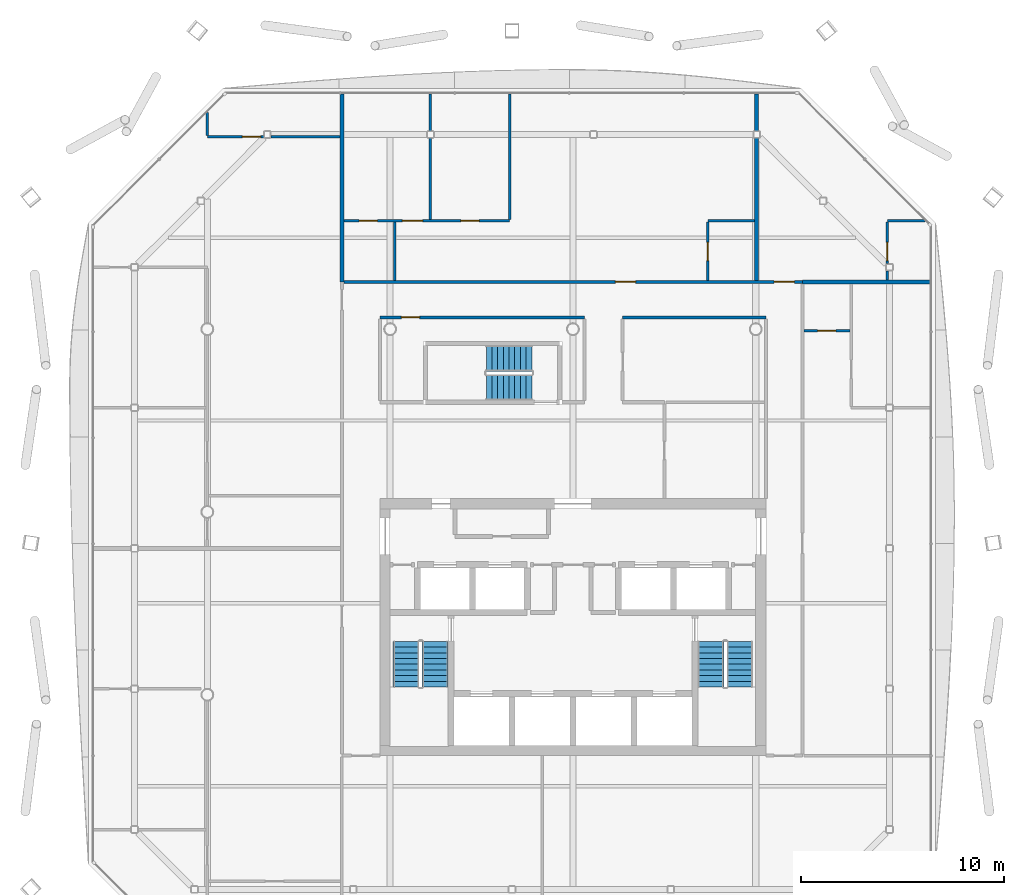
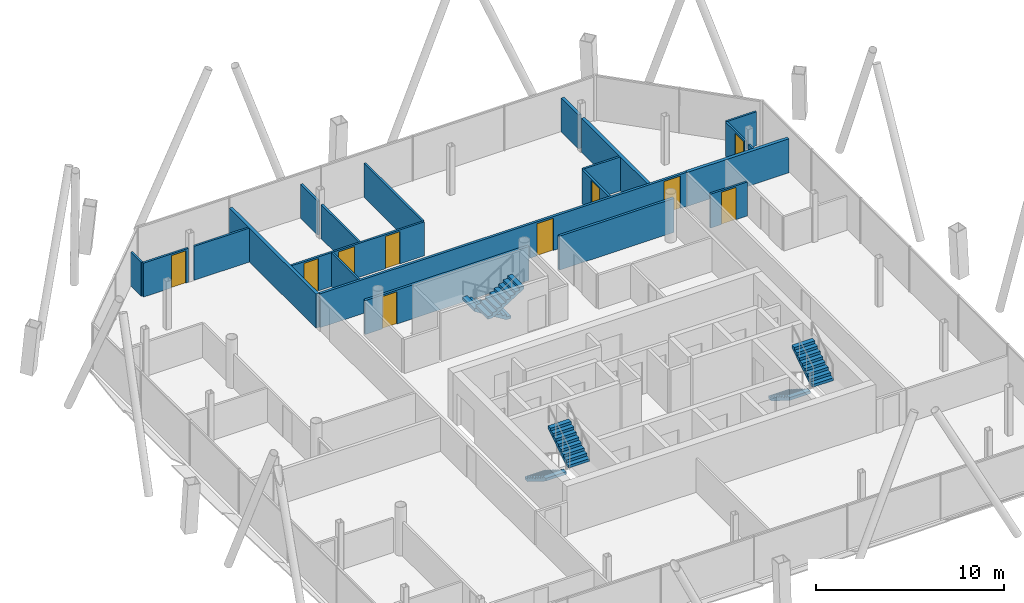
# One storey, part 16 of 20: 21 walls, 10 doors, 6 stair flights, 10 openings, 3 elements without a shape of their own.
"""IFC4 building model written with IfcOpenShell, lengths in metres."""

from ifc_helpers import new_model, si_unit, direction, frame, frame_2d, origin, place, context, subcontext, project, spatial, polyline, rectangle, outline, extrude, material, layer, layer_set, type_object, element, fill, aggregate, save


model = new_model("IFC4")

# Units and contexts
model_context = context("Model", 3, precision=1e-05, world=origin(), true_north=direction((0.0, 1.0)))
body_context = subcontext(model_context, "Body", "Model", "MODEL_VIEW")
ifc_project = project(units=[si_unit("LENGTHUNIT", "METRE"), si_unit("AREAUNIT", "SQUARE_METRE"), si_unit("VOLUMEUNIT", "CUBIC_METRE"), si_unit("PLANEANGLEUNIT", "RADIAN"), si_unit("MASSUNIT", "GRAM", prefix="KILO")], contexts=[model_context])

# Site, building, storey
site_placement = place(None, origin())
site = spatial("IfcSite", under=ifc_project, at=site_placement, CompositionType="ELEMENT")
building_placement = place(site_placement, origin())
building = spatial("IfcBuilding", under=site, at=building_placement, Name="Tskaro Facet Tower", CompositionType="ELEMENT")
storey_placement = place(building_placement, frame((0.0, 0.0, 181.64990234375)))
storey = spatial("IfcBuildingStorey", under=building, at=storey_placement, Name="L45", CompositionType="ELEMENT", Elevation=181.64990234375)

# Wall, opening, door
ifc_material_1 = material(Name="Gypsum board on steel studs", Category="steel")
ifc_layer_1 = layer(ifc_material_1, 0.125, Name="Gypsum board on steel studs")
ifc_layer_set_1 = layer_set([ifc_layer_1], Name="Gypsum board on steel studs")
wall_type_1 = type_object("IfcWallType", Name="PART", PredefinedType="PARTITIONING", material=ifc_layer_set_1)
wall_1_placement = place(storey_placement, frame((11.375, 8.925048828125, 0.0), z_axis=(0.0, 0.0, 1.0), x_axis=(1.0, 0.0, 0.0)))
wall_1 = element("IfcWall", 1, at=wall_1_placement, inside=storey, type_object=wall_type_1, Name="Partition W033", PredefinedType="PARTITIONING", context=body_context, shape_type="SweptSolid", body=[
    extrude(rectangle(XDim=2.262451171875, YDim=0.125, at=frame_2d((1.13134765625, 0.0))), origin(), (0.0, 0.0, 1.0), 2.210205078125),
])
opening_1_placement = place(wall_1_placement, frame((0.675048828125, 0.0, 0.0)))
opening_1 = element("IfcOpeningElement", 2, at=opening_1_placement, cuts=wall_1, Name="Opening T13-D22", PredefinedType="OPENING", context=body_context, shape_type="SweptSolid", body=[
    extrude(rectangle(XDim=0.89990234375, YDim=2.10009765625, at=frame_2d((0.449951171875, 1.050048828125))), frame((0.0, 0.072509765625, 0.0), z_axis=(0.0, -1.0, 0.0), x_axis=(1.0, 0.0, 0.0)), (0.0, 0.0, 1.0), 0.14501953125),
])
ifc_material_2 = material(Name="Timber", Category="wood")
door_type_1 = type_object("IfcDoorType", Name="D-ROOM", OperationType="NOTDEFINED", PredefinedType="DOOR", material=ifc_material_2)
door_1_placement = place(opening_1_placement, origin())
door_1 = element("IfcDoor", 3, at=door_1_placement, inside=storey, type_object=door_type_1, Name="Door T13-D22", OperationType="SINGLE_SWING_LEFT", OverallHeight=2.10009765625, OverallWidth=0.89990234375, PredefinedType="DOOR", context=body_context, shape_type="SweptSolid", body=[
    extrude(rectangle(XDim=0.89990234375, YDim=2.10009765625, at=frame_2d((0.449951171875, 1.050048828125))), frame((0.0, 0.02490234375, 0.0), z_axis=(0.0, -1.0, 0.0), x_axis=(1.0, 0.0, 0.0)), (0.0, 0.0, 1.0), 0.050048828125),
])
fill(opening_1, door_1)

# Wall, openings, doors
wall_2_placement = place(storey_placement, frame((-11.27490234375, 14.324951171875, 0.0), z_axis=(0.0, 0.0, 1.0), x_axis=(1.0, 0.0, 0.0)))
wall_2 = element("IfcWall", 4, at=wall_2_placement, inside=storey, type_object=wall_type_1, Name="Partition W040", PredefinedType="PARTITIONING", context=body_context, shape_type="SweptSolid", body=[
    extrude(rectangle(XDim=8.159912109375, YDim=0.125, at=frame_2d((4.080078125, 0.0))), origin(), (0.0, 0.0, 1.0), 2.210205078125),
])
opening_2_placement = place(wall_2_placement, frame((5.760009765625, 0.0, 0.0)))
opening_2 = element("IfcOpeningElement", 5, at=opening_2_placement, cuts=wall_2, Name="Opening T13-D32", PredefinedType="OPENING", context=body_context, shape_type="SweptSolid", body=[
    extrude(rectangle(XDim=0.89990234375, YDim=2.10009765625, at=frame_2d((0.449951171875, 1.050048828125))), frame((0.0, 0.072509765625, 0.0), z_axis=(0.0, -1.0, 0.0), x_axis=(1.0, 0.0, 0.0)), (0.0, 0.0, 1.0), 0.14501953125),
])
opening_3_placement = place(wall_2_placement, frame((2.8798828125, 0.0, 0.0)))
opening_3 = element("IfcOpeningElement", 6, at=opening_3_placement, cuts=wall_2, Name="Opening T13-D31", PredefinedType="OPENING", context=body_context, shape_type="SweptSolid", body=[
    extrude(rectangle(XDim=1.0, YDim=2.10009765625, at=frame_2d((0.5, 1.050048828125))), frame((0.0, 0.072509765625, 0.0), z_axis=(0.0, -1.0, 0.0), x_axis=(1.0, 0.0, 0.0)), (0.0, 0.0, 1.0), 0.14501953125),
])
opening_4_placement = place(wall_2_placement, frame((0.75, 0.0, 0.0)))
opening_4 = element("IfcOpeningElement", 7, at=opening_4_placement, cuts=wall_2, Name="Opening T13-D30", PredefinedType="OPENING", context=body_context, shape_type="SweptSolid", body=[
    extrude(rectangle(XDim=0.89990234375, YDim=2.10009765625, at=frame_2d((0.449951171875, 1.050048828125))), frame((0.0, 0.072509765625, 0.0), z_axis=(0.0, -1.0, 0.0), x_axis=(1.0, 0.0, 0.0)), (0.0, 0.0, 1.0), 0.14501953125),
])
door_2_placement = place(opening_2_placement, origin())
door_2 = element("IfcDoor", 8, at=door_2_placement, inside=storey, type_object=door_type_1, Name="Door T13-D32", OperationType="SINGLE_SWING_RIGHT", OverallHeight=2.10009765625, OverallWidth=0.89990234375, PredefinedType="DOOR", context=body_context, shape_type="SweptSolid", body=[
    extrude(rectangle(XDim=0.89990234375, YDim=2.10009765625, at=frame_2d((0.449951171875, 1.050048828125))), frame((0.0, 0.02490234375, 0.0), z_axis=(0.0, -1.0, 0.0), x_axis=(1.0, 0.0, 0.0)), (0.0, 0.0, 1.0), 0.050048828125),
])
fill(opening_2, door_2)
door_3_placement = place(opening_4_placement, origin())
door_3 = element("IfcDoor", 9, at=door_3_placement, inside=storey, type_object=door_type_1, Name="Door T13-D30", OperationType="SINGLE_SWING_RIGHT", OverallHeight=2.10009765625, OverallWidth=0.89990234375, PredefinedType="DOOR", context=body_context, shape_type="SweptSolid", body=[
    extrude(rectangle(XDim=0.89990234375, YDim=2.10009765625, at=frame_2d((0.449951171875, 1.050048828125))), frame((0.0, 0.02490234375, 0.0), z_axis=(0.0, -1.0, 0.0), x_axis=(1.0, 0.0, 0.0)), (0.0, 0.0, 1.0), 0.050048828125),
])
fill(opening_4, door_3)
door_type_2 = type_object("IfcDoorType", Name="D-ROOM-WIDE", OperationType="NOTDEFINED", PredefinedType="DOOR", material=ifc_material_2)
door_4_placement = place(opening_3_placement, origin())
door_4 = element("IfcDoor", 10, at=door_4_placement, inside=storey, type_object=door_type_2, Name="Door T13-D31", OperationType="SINGLE_SWING_RIGHT", OverallHeight=2.10009765625, OverallWidth=1.0, PredefinedType="DOOR", context=body_context, shape_type="SweptSolid", body=[
    extrude(rectangle(XDim=1.0, YDim=2.10009765625, at=frame_2d((0.5, 1.050048828125))), frame((0.0, 0.02490234375, 0.0), z_axis=(0.0, -1.0, 0.0), x_axis=(1.0, 0.0, 0.0)), (0.0, 0.0, 1.0), 0.050048828125),
])
fill(opening_3, door_4)

# Walls
wall_3_placement = place(storey_placement, frame((6.64501953125, 14.324951171875, 0.0), z_axis=(0.0, 0.0, 1.0), x_axis=(1.0, 0.0, 0.0)))
element("IfcWall", 11, at=wall_3_placement, inside=storey, type_object=wall_type_1, Name="Partition W041", PredefinedType="PARTITIONING", context=body_context, shape_type="SweptSolid", body=[
    extrude(rectangle(XDim=2.300048828125, YDim=0.125, at=frame_2d((1.14990234375, 0.0))), origin(), (0.0, 0.0, 1.0), 2.210205078125),
])
wall_4_placement = place(storey_placement, frame((15.47998046875, 14.324951171875, 0.0), z_axis=(0.0, 0.0, 1.0), x_axis=(1.0, 0.0, 0.0)))
element("IfcWall", 12, at=wall_4_placement, inside=storey, type_object=wall_type_1, Name="Partition W042", PredefinedType="PARTITIONING", context=body_context, shape_type="SweptSolid", body=[
    extrude(rectangle(XDim=1.85302734375, YDim=0.125, at=frame_2d((0.926513671875, 0.0))), origin(), (0.0, 0.0, 1.0), 2.210205078125),
])

# Wall, opening, door
wall_5_placement = place(storey_placement, frame((-18.0, 18.47998046875, 0.0), z_axis=(0.0, 0.0, 1.0), x_axis=(1.0, 0.0, 0.0)))
wall_5 = element("IfcWall", 13, at=wall_5_placement, inside=storey, type_object=wall_type_1, Name="Partition W043", PredefinedType="PARTITIONING", context=body_context, shape_type="SweptSolid", body=[
    extrude(rectangle(XDim=2.779052734375, YDim=0.125, at=frame_2d((1.3896484375, 0.0))), origin(), (0.0, 0.0, 1.0), 2.210205078125),
])
opening_5_placement = place(wall_5_placement, frame((1.72900390625, 0.0, 0.0)))
opening_5 = element("IfcOpeningElement", 14, at=opening_5_placement, cuts=wall_5, Name="Opening T13-D33", PredefinedType="OPENING", context=body_context, shape_type="SweptSolid", body=[
    extrude(rectangle(XDim=0.89990234375, YDim=2.10009765625, at=frame_2d((0.449951171875, 1.050048828125))), frame((0.0, 0.072509765625, 0.0), z_axis=(0.0, -1.0, 0.0), x_axis=(1.0, 0.0, 0.0)), (0.0, 0.0, 1.0), 0.14501953125),
])
door_5_placement = place(opening_5_placement, origin())
door_5 = element("IfcDoor", 15, at=door_5_placement, inside=storey, type_object=door_type_1, Name="Door T13-D33", OperationType="SINGLE_SWING_LEFT", OverallHeight=2.10009765625, OverallWidth=0.89990234375, PredefinedType="DOOR", context=body_context, shape_type="SweptSolid", body=[
    extrude(rectangle(XDim=0.89990234375, YDim=2.10009765625, at=frame_2d((0.449951171875, 1.050048828125))), frame((0.0, 0.02490234375, 0.0), z_axis=(0.0, -1.0, 0.0), x_axis=(1.0, 0.0, 0.0)), (0.0, 0.0, 1.0), 0.050048828125),
])
fill(opening_5, door_5)

# Walls
wall_6_placement = place(storey_placement, frame((-14.87109375, 18.47998046875, 0.0), z_axis=(0.0, 0.0, 1.0), x_axis=(1.0, 0.0, 0.0)))
element("IfcWall", 16, at=wall_6_placement, inside=storey, type_object=wall_type_1, Name="Partition W044", PredefinedType="PARTITIONING", context=body_context, shape_type="SweptSolid", body=[
    extrude(rectangle(XDim=3.39599609375, YDim=0.125, at=frame_2d((1.697998046875, 0.0))), origin(), (0.0, 0.0, 1.0), 2.210205078125),
])
wall_7_placement = place(storey_placement, frame((-18.0, 18.54248046875, 0.0), z_axis=(0.0, 0.0, 1.0), x_axis=(0.0, 1.0, 0.0)))
element("IfcWall", 17, at=wall_7_placement, inside=storey, type_object=wall_type_1, Name="Partition W049", PredefinedType="PARTITIONING", context=body_context, shape_type="SweptSolid", body=[
    extrude(rectangle(XDim=1.115478515625, YDim=0.125, at=frame_2d((0.5576171875, 0.0))), origin(), (0.0, 0.0, 1.0), 2.210205078125),
])
wall_8_placement = place(storey_placement, frame((-8.77490234375, 11.39990234375, 0.0), z_axis=(0.0, 0.0, 1.0), x_axis=(0.0, 1.0, 0.0)))
element("IfcWall", 18, at=wall_8_placement, inside=storey, type_object=wall_type_1, Name="Partition W054", PredefinedType="PARTITIONING", context=body_context, shape_type="SweptSolid", body=[
    extrude(rectangle(XDim=2.862548828125, YDim=0.125, at=frame_2d((1.43115234375, 0.0))), origin(), (0.0, 0.0, 1.0), 2.210205078125),
])
wall_9_placement = place(storey_placement, frame((-7.014892578125, 14.387451171875, 0.0), z_axis=(0.0, 0.0, 1.0), x_axis=(0.0, 1.0, 0.0)))
element("IfcWall", 19, at=wall_9_placement, inside=storey, type_object=wall_type_1, Name="Partition W057", PredefinedType="PARTITIONING", context=body_context, shape_type="SweptSolid", body=[
    extrude(rectangle(XDim=4.0205078125, YDim=0.125, at=frame_2d((2.01025390625, 0.0))), origin(), (0.0, 0.0, 1.0), 2.210205078125),
])
wall_10_placement = place(storey_placement, frame((-7.014892578125, 18.758056640625, 0.0), z_axis=(0.0, 0.0, 1.0), x_axis=(0.0, 1.0, 0.0)))
element("IfcWall", 20, at=wall_10_placement, inside=storey, type_object=wall_type_1, Name="Partition W058", PredefinedType="PARTITIONING", context=body_context, shape_type="SweptSolid", body=[
    extrude(rectangle(XDim=1.81982421875, YDim=0.125, at=frame_2d((0.909912109375, 0.0))), origin(), (0.0, 0.0, 1.0), 2.210205078125),
])
wall_11_placement = place(storey_placement, frame((-3.114990234375, 14.387451171875, 0.0), z_axis=(0.0, 0.0, 1.0), x_axis=(0.0, 1.0, 0.0)))
element("IfcWall", 21, at=wall_11_placement, inside=storey, type_object=wall_type_1, Name="Partition W062", PredefinedType="PARTITIONING", context=body_context, shape_type="SweptSolid", body=[
    extrude(rectangle(XDim=6.1904296875, YDim=0.125, at=frame_2d((3.09521484375, 0.0))), origin(), (0.0, 0.0, 1.0), 2.210205078125),
])

# Wall, opening, door
wall_12_placement = place(storey_placement, frame((6.64501953125, 14.262451171875, 0.0), z_axis=(0.0, 0.0, 1.0), x_axis=(0.0, -1.0, 0.0)))
wall_12 = element("IfcWall", 22, at=wall_12_placement, inside=storey, type_object=wall_type_1, Name="Partition W078", PredefinedType="PARTITIONING", context=body_context, shape_type="SweptSolid", body=[
    extrude(rectangle(XDim=2.862548828125, YDim=0.125, at=frame_2d((1.43115234375, 0.0))), origin(), (0.0, 0.0, 1.0), 2.210205078125),
])
opening_6_placement = place(wall_12_placement, frame((0.987548828125, 0.0, 0.0)))
opening_6 = element("IfcOpeningElement", 23, at=opening_6_placement, cuts=wall_12, Name="Opening T13-D28", PredefinedType="OPENING", context=body_context, shape_type="SweptSolid", body=[
    extrude(rectangle(XDim=0.89990234375, YDim=2.10009765625, at=frame_2d((0.449951171875, 1.050048828125))), frame((0.0, 0.072509765625, 0.0), z_axis=(0.0, -1.0, 0.0), x_axis=(1.0, 0.0, 0.0)), (0.0, 0.0, 1.0), 0.14501953125),
])
door_6_placement = place(opening_6_placement, origin())
door_6 = element("IfcDoor", 24, at=door_6_placement, inside=storey, type_object=door_type_1, Name="Door T13-D28", OperationType="SINGLE_SWING_RIGHT", OverallHeight=2.10009765625, OverallWidth=0.89990234375, PredefinedType="DOOR", context=body_context, shape_type="SweptSolid", body=[
    extrude(rectangle(XDim=0.89990234375, YDim=2.10009765625, at=frame_2d((0.449951171875, 1.050048828125))), frame((0.0, 0.02490234375, 0.0), z_axis=(0.0, -1.0, 0.0), x_axis=(1.0, 0.0, 0.0)), (0.0, 0.0, 1.0), 0.050048828125),
])
fill(opening_6, door_6)

# Wall
wall_13_placement = place(storey_placement, frame((15.47998046875, 11.425048828125, 0.0), z_axis=(0.0, 0.0, 1.0), x_axis=(0.0, 1.0, 0.0)))
element("IfcWall", 25, at=wall_13_placement, inside=storey, type_object=wall_type_1, Name="Partition W085", PredefinedType="PARTITIONING", context=body_context, shape_type="SweptSolid", body=[
    extrude(rectangle(XDim=0.446044921875, YDim=0.125, at=frame_2d((0.22314453125, 0.0))), origin(), (0.0, 0.0, 1.0), 2.210205078125),
])

# Wall, opening, door
wall_14_placement = place(storey_placement, frame((15.47998046875, 14.262451171875, 0.0), z_axis=(0.0, 0.0, 1.0), x_axis=(0.0, -1.0, 0.0)))
wall_14 = element("IfcWall", 26, at=wall_14_placement, inside=storey, type_object=wall_type_1, Name="Partition W086", PredefinedType="PARTITIONING", context=body_context, shape_type="SweptSolid", body=[
    extrude(rectangle(XDim=2.04150390625, YDim=0.125, at=frame_2d((1.020751953125, 0.0))), origin(), (0.0, 0.0, 1.0), 2.210205078125),
])
opening_7_placement = place(wall_14_placement, frame((0.987548828125, 0.0, 0.0)))
opening_7 = element("IfcOpeningElement", 27, at=opening_7_placement, cuts=wall_14, Name="Opening T13-D29", PredefinedType="OPENING", context=body_context, shape_type="SweptSolid", body=[
    extrude(rectangle(XDim=0.89990234375, YDim=2.10009765625, at=frame_2d((0.449951171875, 1.050048828125))), frame((0.0, 0.072509765625, 0.0), z_axis=(0.0, -1.0, 0.0), x_axis=(1.0, 0.0, 0.0)), (0.0, 0.0, 1.0), 0.14501953125),
])
door_7_placement = place(opening_7_placement, origin())
door_7 = element("IfcDoor", 28, at=door_7_placement, inside=storey, type_object=door_type_1, Name="Door T13-D29", OperationType="SINGLE_SWING_RIGHT", OverallHeight=2.10009765625, OverallWidth=0.89990234375, PredefinedType="DOOR", context=body_context, shape_type="SweptSolid", body=[
    extrude(rectangle(XDim=0.89990234375, YDim=2.10009765625, at=frame_2d((0.449951171875, 1.050048828125))), frame((0.0, 0.02490234375, 0.0), z_axis=(0.0, -1.0, 0.0), x_axis=(1.0, 0.0, 0.0)), (0.0, 0.0, 1.0), 0.050048828125),
])
fill(opening_7, door_7)

ifc_layer_2 = layer(ifc_material_1, 0.14990234375, Name="Gypsum board on steel studs")
ifc_layer_set_2 = layer_set([ifc_layer_2], Name="Gypsum board on steel studs")
wall_type_2 = type_object("IfcWallType", Name="PART-CORR", PredefinedType="PARTITIONING", material=ifc_layer_set_2)
wall_15_placement = place(storey_placement, frame((0.574951171875, 9.574951171875, 0.0), z_axis=(0.0, 0.0, 1.0), x_axis=(-1.0, 0.0, 0.0)))
wall_15 = element("IfcWall", 29, at=wall_15_placement, inside=storey, type_object=wall_type_2, Name="Corridor wall W034", PredefinedType="PARTITIONING", context=body_context, shape_type="SweptSolid", body=[
    extrude(rectangle(XDim=10.074951171875, YDim=0.14990234375, at=frame_2d((5.03759765625, 0.0))), origin(), (0.0, 0.0, 1.0), 2.210205078125),
])
opening_8_placement = place(wall_15_placement, frame((8.125, 0.0, 0.0)))
opening_8 = element("IfcOpeningElement", 30, at=opening_8_placement, cuts=wall_15, Name="Opening T13-D23", PredefinedType="OPENING", context=body_context, shape_type="SweptSolid", body=[
    extrude(rectangle(XDim=0.89990234375, YDim=2.10009765625, at=frame_2d((0.449951171875, 1.050048828125))), frame((0.0, 0.0849609375, 0.0), z_axis=(0.0, -1.0, 0.0), x_axis=(1.0, 0.0, 0.0)), (0.0, 0.0, 1.0), 0.169921875),
])
door_8_placement = place(opening_8_placement, origin())
door_8 = element("IfcDoor", 31, at=door_8_placement, inside=storey, type_object=door_type_1, Name="Door T13-D23", OperationType="SINGLE_SWING_RIGHT", OverallHeight=2.10009765625, OverallWidth=0.89990234375, PredefinedType="DOOR", context=body_context, shape_type="SweptSolid", body=[
    extrude(rectangle(XDim=0.89990234375, YDim=2.10009765625, at=frame_2d((0.449951171875, 1.050048828125))), frame((0.0, 0.02490234375, 0.0), z_axis=(0.0, -1.0, 0.0), x_axis=(1.0, 0.0, 0.0)), (0.0, 0.0, 1.0), 0.050048828125),
])
fill(opening_8, door_8)

# Wall
wall_16_placement = place(storey_placement, frame((2.449951171875, 9.574951171875, 0.0), z_axis=(0.0, 0.0, 1.0), x_axis=(1.0, 0.0, 0.0)))
element("IfcWall", 32, at=wall_16_placement, inside=storey, type_object=wall_type_2, Name="Corridor wall W035", PredefinedType="PARTITIONING", context=body_context, shape_type="SweptSolid", body=[
    extrude(rectangle(XDim=7.050048828125, YDim=0.14990234375, at=frame_2d((3.52490234375, 0.0))), origin(), (0.0, 0.0, 1.0), 2.210205078125),
])

# Wall, openings, doors
wall_17_placement = place(storey_placement, frame((-11.27490234375, 11.324951171875, 0.0), z_axis=(0.0, 0.0, 1.0), x_axis=(1.0, 0.0, 0.0)))
wall_17 = element("IfcWall", 33, at=wall_17_placement, inside=storey, type_object=wall_type_2, Name="Corridor wall W036", PredefinedType="PARTITIONING", context=body_context, shape_type="SweptSolid", body=[
    extrude(rectangle(XDim=22.574951171875, YDim=0.14990234375, at=frame_2d((11.28759765625, 0.0))), origin(), (0.0, 0.0, 1.0), 2.210205078125),
])
opening_9_placement = place(wall_17_placement, frame((13.362548828125, 0.0, 0.0)))
opening_9 = element("IfcOpeningElement", 34, at=opening_9_placement, cuts=wall_17, Name="Opening T13-D25", PredefinedType="OPENING", context=body_context, shape_type="SweptSolid", body=[
    extrude(rectangle(XDim=1.0, YDim=2.10009765625, at=frame_2d((0.5, 1.050048828125))), frame((0.0, 0.0849609375, 0.0), z_axis=(0.0, -1.0, 0.0), x_axis=(1.0, 0.0, 0.0)), (0.0, 0.0, 1.0), 0.169921875),
])
opening_10_placement = place(wall_17_placement, frame((21.175048828125, 0.0, 0.0)))
opening_10 = element("IfcOpeningElement", 35, at=opening_10_placement, cuts=wall_17, Name="Opening T13-D26", PredefinedType="OPENING", context=body_context, shape_type="SweptSolid", body=[
    extrude(rectangle(XDim=1.0, YDim=2.10009765625, at=frame_2d((0.5, 1.050048828125))), frame((0.0, 0.0849609375, 0.0), z_axis=(0.0, -1.0, 0.0), x_axis=(1.0, 0.0, 0.0)), (0.0, 0.0, 1.0), 0.169921875),
])
door_type_3 = type_object("IfcDoorType", Name="D-FLAT-ENTRY", OperationType="NOTDEFINED", PredefinedType="DOOR", material=ifc_material_2)
door_9_placement = place(opening_9_placement, origin())
door_9 = element("IfcDoor", 36, at=door_9_placement, inside=storey, type_object=door_type_3, Name="Door T13-D25", OperationType="SINGLE_SWING_RIGHT", OverallHeight=2.10009765625, OverallWidth=1.0, PredefinedType="DOOR", context=body_context, shape_type="SweptSolid", body=[
    extrude(rectangle(XDim=1.0, YDim=2.10009765625, at=frame_2d((0.5, 1.050048828125))), frame((0.0, 0.02490234375, 0.0), z_axis=(0.0, -1.0, 0.0), x_axis=(1.0, 0.0, 0.0)), (0.0, 0.0, 1.0), 0.050048828125),
])
fill(opening_9, door_9)
door_10_placement = place(opening_10_placement, origin())
door_10 = element("IfcDoor", 37, at=door_10_placement, inside=storey, type_object=door_type_3, Name="Door T13-D26", OperationType="SINGLE_SWING_LEFT", OverallHeight=2.10009765625, OverallWidth=1.0, PredefinedType="DOOR", context=body_context, shape_type="SweptSolid", body=[
    extrude(rectangle(XDim=1.0, YDim=2.10009765625, at=frame_2d((0.5, 1.050048828125))), frame((0.0, 0.02490234375, 0.0), z_axis=(0.0, -1.0, 0.0), x_axis=(1.0, 0.0, 0.0)), (0.0, 0.0, 1.0), 0.050048828125),
])
fill(opening_10, door_10)

# Walls
ifc_layer_3 = layer(ifc_material_1, 0.199951171875, Name="Gypsum board on steel studs")
ifc_layer_set_3 = layer_set([ifc_layer_3], Name="Gypsum board on steel studs")
wall_type_3 = type_object("IfcWallType", Name="PART-DEMISING", PredefinedType="PARTITIONING", material=ifc_layer_set_3)
wall_18_placement = place(storey_placement, frame((11.300048828125, 11.324951171875, 0.0), z_axis=(0.0, 0.0, 1.0), x_axis=(1.0, 0.0, 0.0)))
element("IfcWall", 38, at=wall_18_placement, inside=storey, type_object=wall_type_3, Name="Guest room wall W037", PredefinedType="PARTITIONING", context=body_context, shape_type="SweptSolid", body=[
    extrude(rectangle(XDim=6.27783203125, YDim=0.199951171875, at=frame_2d((3.138916015625, 0.0))), origin(), (0.0, 0.0, 1.0), 2.210205078125),
])
wall_19_placement = place(storey_placement, frame((-11.375, 11.324951171875, 0.0), z_axis=(0.0, 0.0, 1.0), x_axis=(0.0, 1.0, 0.0)))
element("IfcWall", 39, at=wall_19_placement, inside=storey, type_object=wall_type_3, Name="Guest room wall W052", PredefinedType="PARTITIONING", context=body_context, shape_type="SweptSolid", body=[
    extrude(rectangle(XDim=9.2529296875, YDim=0.199951171875, at=frame_2d((4.62646484375, 0.0))), origin(), (0.0, 0.0, 1.0), 2.210205078125),
])
wall_20_placement = place(storey_placement, frame((9.044921875, 11.39990234375, 0.0), z_axis=(0.0, 0.0, 1.0), x_axis=(0.0, 1.0, 0.0)))
element("IfcWall", 40, at=wall_20_placement, inside=storey, type_object=wall_type_3, Name="Guest room wall W080", PredefinedType="PARTITIONING", context=body_context, shape_type="SweptSolid", body=[
    extrude(rectangle(XDim=7.008056640625, YDim=0.199951171875, at=frame_2d((3.50390625, 0.0))), origin(), (0.0, 0.0, 1.0), 2.210205078125),
])
wall_21_placement = place(storey_placement, frame((9.044921875, 18.758056640625, 0.0), z_axis=(0.0, 0.0, 1.0), x_axis=(0.0, 1.0, 0.0)))
element("IfcWall", 41, at=wall_21_placement, inside=storey, type_object=wall_type_3, Name="Guest room wall W081", PredefinedType="PARTITIONING", context=body_context, shape_type="SweptSolid", body=[
    extrude(rectangle(XDim=1.81982421875, YDim=0.199951171875, at=frame_2d((0.909912109375, 0.0))), origin(), (0.0, 0.0, 1.0), 2.210205078125),
])

# Stair, stair flights
ifc_material_3 = material(Name="Concrete C40/50", Category="concrete")
stair_type = type_object("IfcStairType", Name="ST-TWR", PredefinedType="HALF_TURN_STAIR", material=ifc_material_3)
stair_1_placement = place(storey_placement, origin())
stair_1 = element("IfcStair", 42, at=stair_1_placement, inside=storey, type_object=stair_type, Name="L45 Exit stair 1", PredefinedType="HALF_TURN_STAIR")
stair_flight_type = type_object("IfcStairFlightType", Name="SFL-RC", PredefinedType="STRAIGHT", material=ifc_material_3)
stair_flight_1_placement = place(storey_placement, frame((-8.21240234375, -6.375, 0.0), z_axis=(0.0, 0.0, 1.0), x_axis=(0.0, -1.0, 0.0)))
stair_flight_1 = element("IfcStairFlight", 43, at=stair_flight_1_placement, type_object=stair_flight_type, Name="ST-1 flight 1", NumberOfRisers=9, NumberOfTreads=8, PredefinedType="STRAIGHT", RiserHeight=0.175, TreadLength=0.28, context=body_context, shape_type="SweptSolid", body=[
    extrude(outline(polyline([(0.0, 0.0), (0.0, 0.175048828125), (0.280029296875, 0.175048828125), (0.280029296875, 0.35009765625), (0.56005859375, 0.35009765625), (0.56005859375, 0.52490234375), (0.840087890625, 0.52490234375), (0.840087890625, 0.699951171875), (1.1201171875, 0.699951171875), (1.1201171875, 0.875), (1.39990234375, 0.875), (1.39990234375, 1.050048828125), (1.679931640625, 1.050048828125), (1.679931640625, 1.22509765625), (1.9599609375, 1.22509765625), (1.9599609375, 1.39990234375), (2.239990234375, 1.39990234375), (2.239990234375, 1.574951171875), (2.239990234375, 1.22314453125), (0.28271484375, 0.0), (0.0, 0.0)])), frame((0.0, 0.637451171875, 0.0), z_axis=(0.0, -1.0, 0.0), x_axis=(1.0, 0.0, 0.0)), (0.0, 0.0, 1.0), 1.27490234375),
])
stair_flight_2_placement = place(storey_placement, frame((-6.78759765625, -8.614990234375, 1.5751953125), z_axis=(0.0, 0.0, 1.0), x_axis=(0.0, 1.0, 0.0)))
stair_flight_2 = element("IfcStairFlight", 44, at=stair_flight_2_placement, type_object=stair_flight_type, Name="ST-1 flight 2", NumberOfRisers=9, NumberOfTreads=8, PredefinedType="STRAIGHT", RiserHeight=0.175, TreadLength=0.28, context=body_context, shape_type="SweptSolid", body=[
    extrude(outline(polyline([(0.0, 0.0), (0.0, 0.175048828125), (0.280029296875, 0.175048828125), (0.280029296875, 0.35009765625), (0.56005859375, 0.35009765625), (0.56005859375, 0.52490234375), (0.840087890625, 0.52490234375), (0.840087890625, 0.699951171875), (1.1201171875, 0.699951171875), (1.1201171875, 0.875), (1.39990234375, 0.875), (1.39990234375, 1.050048828125), (1.679931640625, 1.050048828125), (1.679931640625, 1.22509765625), (1.9599609375, 1.22509765625), (1.9599609375, 1.39990234375), (2.239990234375, 1.39990234375), (2.239990234375, 1.574951171875), (2.239990234375, 1.22314453125), (0.28271484375, 0.0), (0.0, 0.0)])), frame((0.0, 0.637451171875, 0.0), z_axis=(0.0, -1.0, 0.0), x_axis=(1.0, 0.0, 0.0)), (0.0, 0.0, 1.0), 1.27490234375),
])
aggregate(stair_1, [stair_flight_1, stair_flight_2])

stair_2_placement = place(storey_placement, origin())
stair_2 = element("IfcStair", 45, at=stair_2_placement, inside=storey, type_object=stair_type, Name="L45 Exit stair 2", PredefinedType="HALF_TURN_STAIR")
stair_flight_3_placement = place(storey_placement, frame((6.78759765625, -6.375, 0.0), z_axis=(0.0, 0.0, 1.0), x_axis=(0.0, -1.0, 0.0)))
stair_flight_3 = element("IfcStairFlight", 46, at=stair_flight_3_placement, type_object=stair_flight_type, Name="ST-2 flight 1", NumberOfRisers=9, NumberOfTreads=8, PredefinedType="STRAIGHT", RiserHeight=0.175, TreadLength=0.28, context=body_context, shape_type="SweptSolid", body=[
    extrude(outline(polyline([(0.0, 0.0), (0.0, 0.175048828125), (0.280029296875, 0.175048828125), (0.280029296875, 0.35009765625), (0.56005859375, 0.35009765625), (0.56005859375, 0.52490234375), (0.840087890625, 0.52490234375), (0.840087890625, 0.699951171875), (1.1201171875, 0.699951171875), (1.1201171875, 0.875), (1.39990234375, 0.875), (1.39990234375, 1.050048828125), (1.679931640625, 1.050048828125), (1.679931640625, 1.22509765625), (1.9599609375, 1.22509765625), (1.9599609375, 1.39990234375), (2.239990234375, 1.39990234375), (2.239990234375, 1.574951171875), (2.239990234375, 1.22314453125), (0.28271484375, 0.0), (0.0, 0.0)])), frame((0.0, 0.637451171875, 0.0), z_axis=(0.0, -1.0, 0.0), x_axis=(1.0, 0.0, 0.0)), (0.0, 0.0, 1.0), 1.27490234375),
])
stair_flight_4_placement = place(storey_placement, frame((8.21240234375, -8.614990234375, 1.5751953125), z_axis=(0.0, 0.0, 1.0), x_axis=(0.0, 1.0, 0.0)))
stair_flight_4 = element("IfcStairFlight", 47, at=stair_flight_4_placement, type_object=stair_flight_type, Name="ST-2 flight 2", NumberOfRisers=9, NumberOfTreads=8, PredefinedType="STRAIGHT", RiserHeight=0.175, TreadLength=0.28, context=body_context, shape_type="SweptSolid", body=[
    extrude(outline(polyline([(0.0, 0.0), (0.0, 0.175048828125), (0.280029296875, 0.175048828125), (0.280029296875, 0.35009765625), (0.56005859375, 0.35009765625), (0.56005859375, 0.52490234375), (0.840087890625, 0.52490234375), (0.840087890625, 0.699951171875), (1.1201171875, 0.699951171875), (1.1201171875, 0.875), (1.39990234375, 0.875), (1.39990234375, 1.050048828125), (1.679931640625, 1.050048828125), (1.679931640625, 1.22509765625), (1.9599609375, 1.22509765625), (1.9599609375, 1.39990234375), (2.239990234375, 1.39990234375), (2.239990234375, 1.574951171875), (2.239990234375, 1.22314453125), (0.28271484375, 0.0), (0.0, 0.0)])), frame((0.0, 0.637451171875, 0.0), z_axis=(0.0, -1.0, 0.0), x_axis=(1.0, 0.0, 0.0)), (0.0, 0.0, 1.0), 1.27490234375),
])
aggregate(stair_2, [stair_flight_3, stair_flight_4])

stair_3_placement = place(storey_placement, origin())
stair_3 = element("IfcStair", 48, at=stair_3_placement, inside=storey, type_object=stair_type, Name="L45 Exit stair 3", PredefinedType="HALF_TURN_STAIR")
stair_flight_5_placement = place(storey_placement, frame((-2.02490234375, 7.5625, 0.0), z_axis=(0.0, 0.0, 1.0), x_axis=(-1.0, 0.0, 0.0)))
stair_flight_5 = element("IfcStairFlight", 49, at=stair_flight_5_placement, type_object=stair_flight_type, Name="ST-3 flight 1", NumberOfRisers=9, NumberOfTreads=8, PredefinedType="STRAIGHT", RiserHeight=0.175, TreadLength=0.28, context=body_context, shape_type="SweptSolid", body=[
    extrude(outline(polyline([(0.0, 0.0), (0.0, 0.175048828125), (0.280029296875, 0.175048828125), (0.280029296875, 0.35009765625), (0.56005859375, 0.35009765625), (0.56005859375, 0.52490234375), (0.840087890625, 0.52490234375), (0.840087890625, 0.699951171875), (1.1201171875, 0.699951171875), (1.1201171875, 0.875), (1.39990234375, 0.875), (1.39990234375, 1.050048828125), (1.679931640625, 1.050048828125), (1.679931640625, 1.22509765625), (1.9599609375, 1.22509765625), (1.9599609375, 1.39990234375), (2.239990234375, 1.39990234375), (2.239990234375, 1.574951171875), (2.239990234375, 1.22314453125), (0.28271484375, 0.0), (0.0, 0.0)])), frame((0.0, 0.637451171875, 0.0), z_axis=(0.0, -1.0, 0.0), x_axis=(1.0, 0.0, 0.0)), (0.0, 0.0, 1.0), 1.27490234375),
])
stair_flight_6_placement = place(storey_placement, frame((-4.264892578125, 6.137451171875, 1.5751953125), z_axis=(0.0, 0.0, 1.0), x_axis=(1.0, 0.0, 0.0)))
stair_flight_6 = element("IfcStairFlight", 50, at=stair_flight_6_placement, type_object=stair_flight_type, Name="ST-3 flight 2", NumberOfRisers=9, NumberOfTreads=8, PredefinedType="STRAIGHT", RiserHeight=0.175, TreadLength=0.28, context=body_context, shape_type="SweptSolid", body=[
    extrude(outline(polyline([(0.0, 0.0), (0.0, 0.175048828125), (0.280029296875, 0.175048828125), (0.280029296875, 0.35009765625), (0.56005859375, 0.35009765625), (0.56005859375, 0.52490234375), (0.840087890625, 0.52490234375), (0.840087890625, 0.699951171875), (1.1201171875, 0.699951171875), (1.1201171875, 0.875), (1.39990234375, 0.875), (1.39990234375, 1.050048828125), (1.679931640625, 1.050048828125), (1.679931640625, 1.22509765625), (1.9599609375, 1.22509765625), (1.9599609375, 1.39990234375), (2.239990234375, 1.39990234375), (2.239990234375, 1.574951171875), (2.239990234375, 1.22314453125), (0.28271484375, 0.0), (0.0, 0.0)])), frame((0.0, 0.637451171875, 0.0), z_axis=(0.0, -1.0, 0.0), x_axis=(1.0, 0.0, 0.0)), (0.0, 0.0, 1.0), 1.27490234375),
])
aggregate(stair_3, [stair_flight_5, stair_flight_6])

save(model, "model.ifc")
